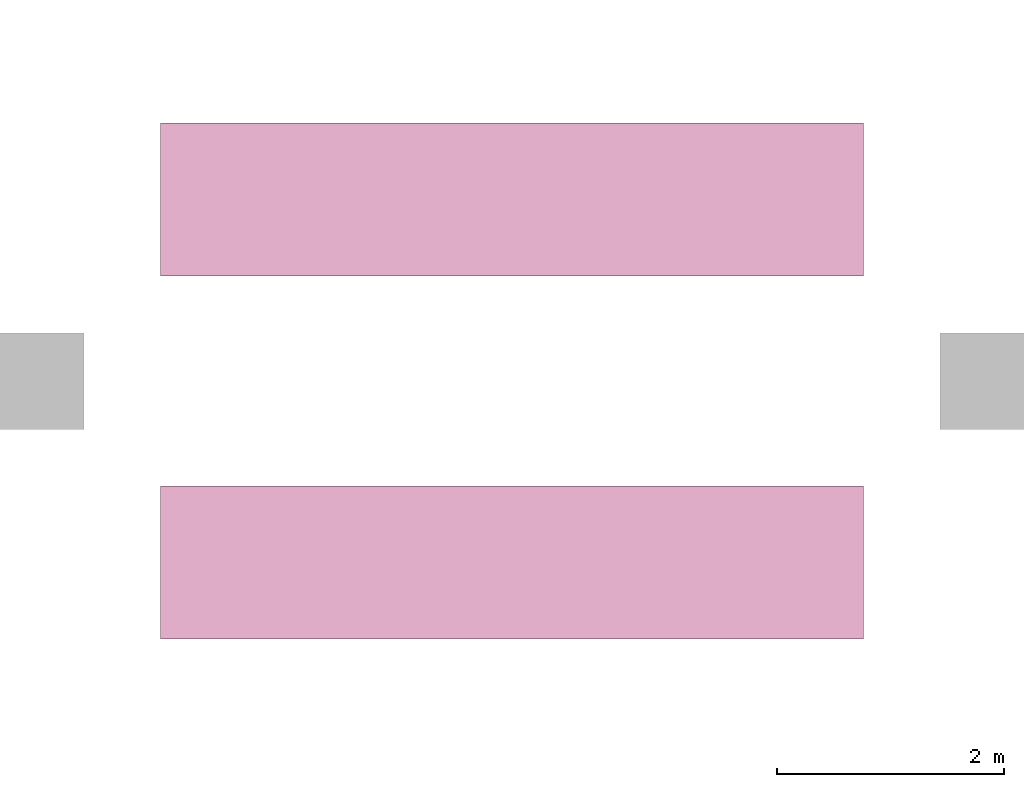
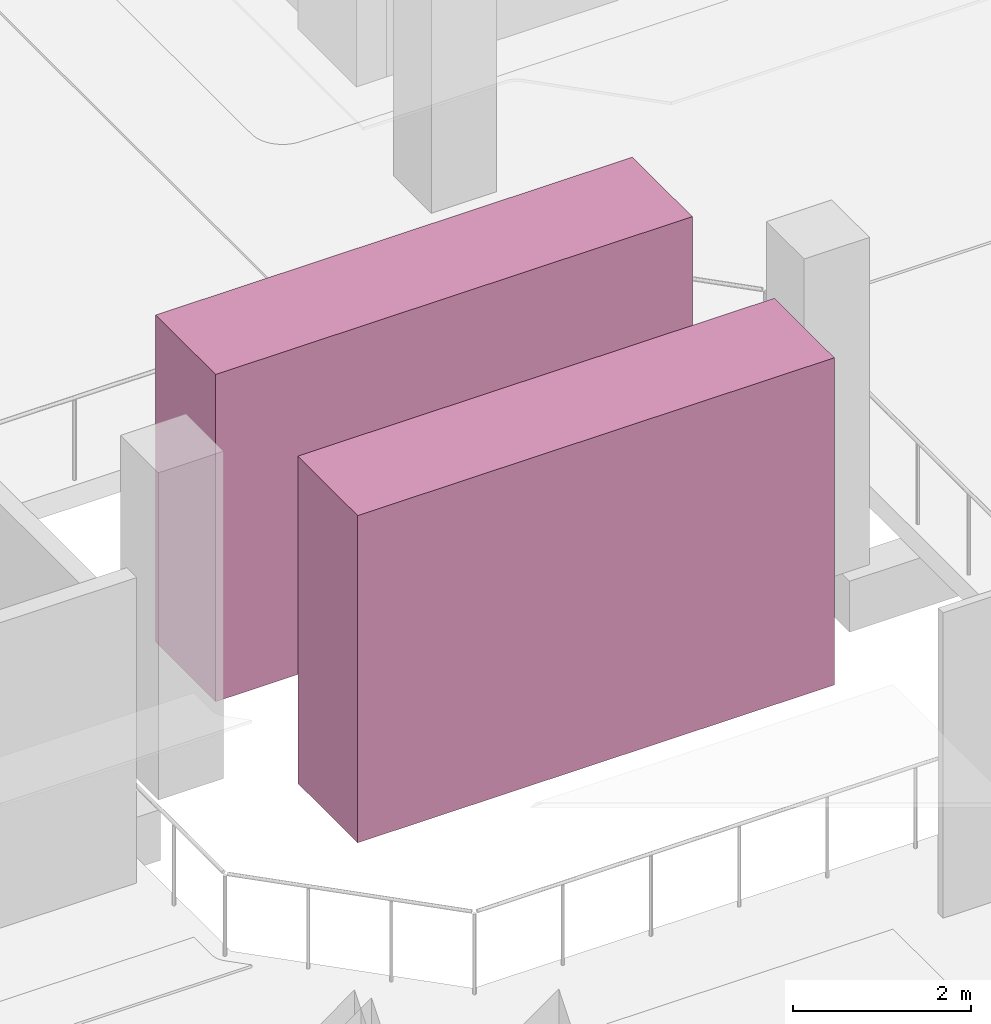
# One storey, part 129 of 129: 2 transport elements.
"""IFC4 building model written with IfcOpenShell, lengths in metres."""

from ifc_helpers import new_model, si_unit, direction, frame, origin, origin_2d, place, context, subcontext, project, spatial, rectangle, extrude, material, type_object, element, save


model = new_model("IFC4")

# Units and contexts
model_context = context("Model", 3, precision=1e-05, world=origin(), true_north=direction((0.0, 1.0)))
body_context = subcontext(model_context, "Body", "Model", "MODEL_VIEW")
ifc_project = project(units=[si_unit("LENGTHUNIT", "METRE"), si_unit("AREAUNIT", "SQUARE_METRE"), si_unit("VOLUMEUNIT", "CUBIC_METRE"), si_unit("PLANEANGLEUNIT", "RADIAN"), si_unit("MASSUNIT", "GRAM", prefix="KILO")], contexts=[model_context])

# Site, building, storey
site_placement = place(None, origin())
site = spatial("IfcSite", under=ifc_project, at=site_placement, CompositionType="ELEMENT")
building_placement = place(site_placement, origin())
building = spatial("IfcBuilding", under=site, at=building_placement, Name="Xazarin Passage Department Store", CompositionType="ELEMENT")
storey_placement = place(building_placement, frame((0.0, 0.0, 9.89990234375)))
storey = spatial("IfcBuildingStorey", under=building, at=storey_placement, Name="L02", CompositionType="ELEMENT", Elevation=9.89990234375)

# Transport elements
ifc_material = material(Name="Steel S355", Category="steel")
transport_element_type = type_object("IfcTransportElementType", Name="ARC-TR-ESC1000", PredefinedType="ESCALATOR", material=ifc_material)
for number, where, z_axis, x_axis, name in (
    (1, (21.0, 91.60009765625, 0.0), (0.0, 0.0, 1.0), (1.0, 0.0, 0.0), "L02 Escalator ES05"),
    (2, (21.0, 94.800048828125, 0.0), (0.0, 0.0, 1.0), (1.0, 0.0, 0.0), "L02 Escalator ES06"),
):
    element("IfcTransportElement", number, at=place(storey_placement, frame(where, z_axis=z_axis, x_axis=x_axis)), inside=storey, type_object=transport_element_type, Name=name, PredefinedType="ESCALATOR", context=body_context, shape_type="SweptSolid", body=[
        extrude(rectangle(XDim=6.199951171875, YDim=1.35009765625, at=origin_2d()), origin(), (0.0, 0.0, 1.0), 4.5),
    ])

save(model, "model.ifc")
